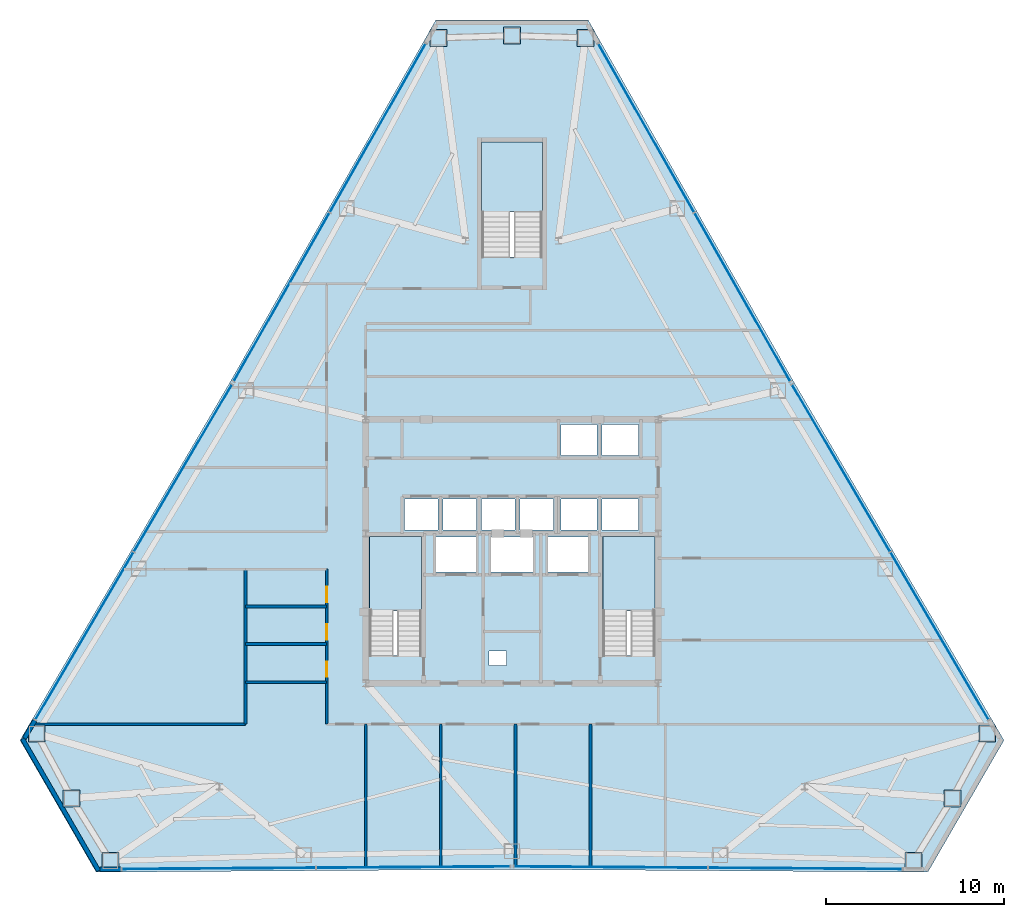
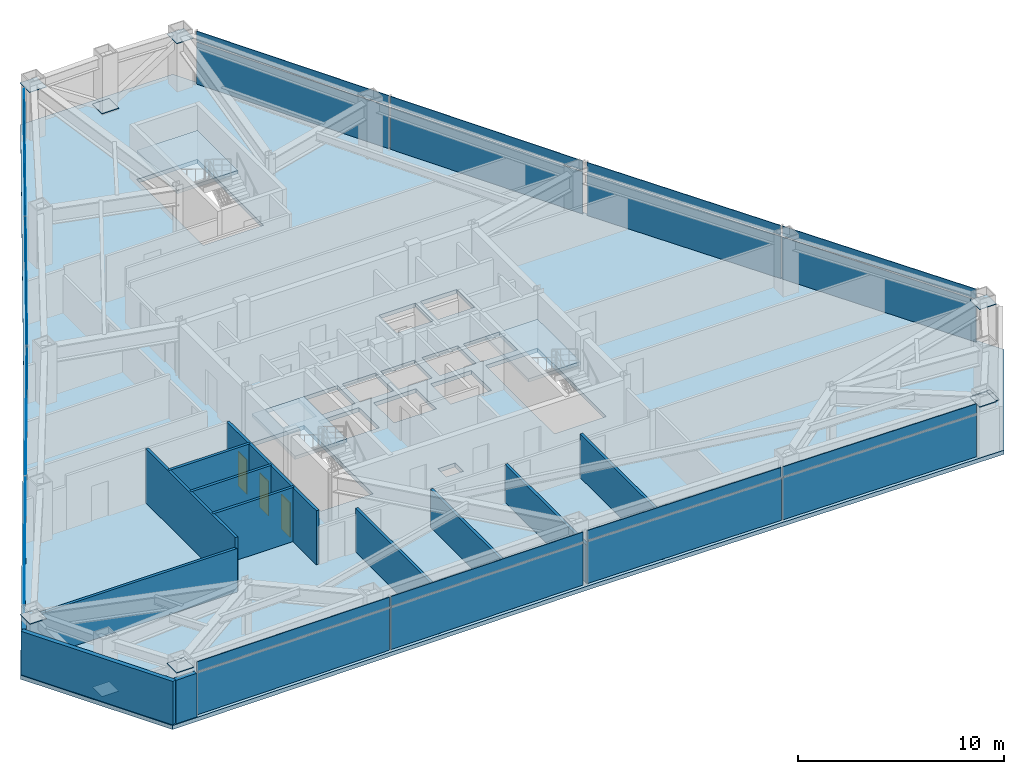
# One storey, part 8 of 12: 33 plates, 13 walls, 4 slabs, 3 doors, 3 openings, 9 elements without a shape of their own.
"""IFC4 building model written with IfcOpenShell, lengths in metres."""

from ifc_helpers import new_model, si_unit, direction, frame, frame_2d, origin, origin_2d, place, context, subcontext, project, spatial, polyline, rectangle, outline, extrude, source, transform, mapped, material, layer, layer_set, type_object, type_shapes, element, fill, aggregate, save


model = new_model("IFC4")

# Units and contexts
model_context = context("Model", 3, precision=1e-05, world=origin(), true_north=direction((0.0, 1.0)))
body_context = subcontext(model_context, "Body", "Model", "MODEL_VIEW")
ifc_project = project(units=[si_unit("LENGTHUNIT", "METRE"), si_unit("AREAUNIT", "SQUARE_METRE"), si_unit("VOLUMEUNIT", "CUBIC_METRE"), si_unit("PLANEANGLEUNIT", "RADIAN"), si_unit("MASSUNIT", "GRAM", prefix="KILO")], contexts=[model_context])

# Site, building, storey
site_placement = place(None, origin())
site = spatial("IfcSite", under=ifc_project, at=site_placement, CompositionType="ELEMENT")
building_placement = place(site_placement, origin())
building = spatial("IfcBuilding", under=site, at=building_placement, Name="Varakhsha Concourse Tower", CompositionType="ELEMENT")
storey_placement = place(building_placement, frame((0.0, 0.0, 129.800048828125)))
storey = spatial("IfcBuildingStorey", under=building, at=storey_placement, Name="L37", CompositionType="ELEMENT", Elevation=129.800048828125)

# Slab
ifc_material_1 = material(Name="Concrete fc 45 MPa", Category="concrete")
ifc_layer_1 = layer(ifc_material_1, 0.239990234375, Name="SL-FLR-240")
ifc_layer_set_1 = layer_set([ifc_layer_1], Name="Concrete fc 45 MPa")
slab_type_1 = type_object("IfcSlabType", Name="SL-FLR-240", PredefinedType="FLOOR", material=ifc_layer_set_1)
slab_1_placement = place(storey_placement, frame((0.0, 0.0, -0.239990234375)))
element("IfcSlab", 1, at=slab_1_placement, inside=storey, type_object=slab_type_1, Name="L37 Composite Structural Slab", PredefinedType="FLOOR", context=body_context, shape_type="SweptSolid", body=[
    extrude(outline(polyline([(44.271484375, 53.6015625), (35.728515625, 53.6015625), (24.2021484375, 33.32080078125), (12.401611328125, 13.198486328125), (16.673095703125, 5.800048828125), (40.0, 5.958251953125), (63.326904296875, 5.800048828125), (67.598388671875, 13.198486328125), (55.7978515625, 33.32080078125), (44.271484375, 53.6015625)]), holes=[polyline([(34.919921875, 17.93994140625), (34.919921875, 24.6298828125), (32.0, 24.6298828125), (32.0, 17.93994140625), (34.919921875, 17.93994140625)]), polyline([(48.02001953125, 17.93994140625), (48.02001953125, 24.6298828125), (45.10009765625, 24.6298828125), (45.10009765625, 17.93994140625), (48.02001953125, 17.93994140625)]), polyline([(41.699951171875, 40.300048828125), (41.699951171875, 46.75), (38.300048828125, 46.75), (38.300048828125, 40.300048828125), (41.699951171875, 40.300048828125)]), polyline([(33.9599609375, 25.0), (35.840087890625, 25.0), (35.840087890625, 26.739990234375), (33.9599609375, 26.739990234375), (33.9599609375, 25.0)]), polyline([(36.1201171875, 25.0), (38.0, 25.0), (38.0, 26.739990234375), (36.1201171875, 26.739990234375), (36.1201171875, 25.0)]), polyline([(38.280029296875, 25.0), (40.159912109375, 25.0), (40.159912109375, 26.739990234375), (38.280029296875, 26.739990234375), (38.280029296875, 25.0)]), polyline([(40.43994140625, 25.0), (42.320068359375, 25.0), (42.320068359375, 26.739990234375), (40.43994140625, 26.739990234375), (40.43994140625, 25.0)]), polyline([(42.739990234375, 29.159912109375), (44.780029296875, 29.159912109375), (44.780029296875, 30.89990234375), (42.739990234375, 30.89990234375), (42.739990234375, 29.159912109375)]), polyline([(45.06005859375, 29.159912109375), (47.10009765625, 29.159912109375), (47.10009765625, 30.89990234375), (45.06005859375, 30.89990234375), (45.06005859375, 29.159912109375)]), polyline([(42.739990234375, 25.0), (44.780029296875, 25.0), (44.780029296875, 26.739990234375), (42.739990234375, 26.739990234375), (42.739990234375, 25.0)]), polyline([(45.06005859375, 25.0), (47.10009765625, 25.0), (47.10009765625, 26.739990234375), (45.06005859375, 26.739990234375), (45.06005859375, 25.0)]), polyline([(35.7099609375, 22.639892578125), (37.989990234375, 22.639892578125), (37.989990234375, 24.60009765625), (35.7099609375, 24.60009765625), (35.7099609375, 22.639892578125)]), polyline([(42.010009765625, 22.639892578125), (44.2900390625, 22.639892578125), (44.2900390625, 24.60009765625), (42.010009765625, 24.60009765625), (42.010009765625, 22.639892578125)]), polyline([(38.81005859375, 22.639892578125), (41.18994140625, 22.639892578125), (41.18994140625, 24.60009765625), (38.81005859375, 24.60009765625), (38.81005859375, 22.639892578125)]), polyline([(38.719970703125, 17.39990234375), (39.679931640625, 17.39990234375), (39.679931640625, 18.199951171875), (38.719970703125, 18.199951171875), (38.719970703125, 17.39990234375)])]), origin(), (0.0, 0.0, 1.0), 0.239990234375),
])

# Stair, slab
stair_type_1 = type_object("IfcStairType", Name="ST-DOGLEG-1360", PredefinedType="HALF_TURN_STAIR", material=ifc_material_1)
stair_1_placement = place(storey_placement, origin())
stair_1 = element("IfcStair", 2, at=stair_1_placement, inside=storey, type_object=stair_type_1, Name="L37 Protected Exit Stair ST1", PredefinedType="HALF_TURN_STAIR")
ifc_layer_2 = layer(ifc_material_1, 0.199951171875, Name="SL-LAND-200")
ifc_layer_set_2 = layer_set([ifc_layer_2], Name="Concrete fc 45 MPa")
slab_type_2 = type_object("IfcSlabType", Name="SL-LAND-200", PredefinedType="LANDING", material=ifc_layer_set_2)
slab_2_placement = place(storey_placement, frame((0.0, 0.0, 1.52490234375)))
slab_2 = element("IfcSlab", 3, at=slab_2_placement, type_object=slab_type_2, Name="ST1 landing 1", PredefinedType="LANDING", context=body_context, shape_type="SweptSolid", body=[
    extrude(outline(polyline([(34.919921875, 20.4599609375), (34.919921875, 24.6298828125), (32.0, 24.6298828125), (32.0, 20.4599609375), (34.919921875, 20.4599609375)])), origin(), (0.0, 0.0, 1.0), 0.199951171875),
])
aggregate(stair_1, [slab_2])

stair_2_placement = place(storey_placement, origin())
stair_2 = element("IfcStair", 4, at=stair_2_placement, inside=storey, type_object=stair_type_1, Name="L37 Protected Exit Stair ST2", PredefinedType="HALF_TURN_STAIR")
slab_3_placement = place(storey_placement, frame((0.0, 0.0, 1.52490234375)))
slab_3 = element("IfcSlab", 5, at=slab_3_placement, type_object=slab_type_2, Name="ST2 landing 1", PredefinedType="LANDING", context=body_context, shape_type="SweptSolid", body=[
    extrude(outline(polyline([(48.02001953125, 20.4599609375), (48.02001953125, 24.6298828125), (45.10009765625, 24.6298828125), (45.10009765625, 20.4599609375), (48.02001953125, 20.4599609375)])), origin(), (0.0, 0.0, 1.0), 0.199951171875),
])
aggregate(stair_2, [slab_3])

stair_type_2 = type_object("IfcStairType", Name="ST-DOGLEG-1600", PredefinedType="HALF_TURN_STAIR", material=ifc_material_1)
stair_3_placement = place(storey_placement, origin())
stair_3 = element("IfcStair", 6, at=stair_3_placement, inside=storey, type_object=stair_type_2, Name="L37 Protected Exit Stair ST5", PredefinedType="HALF_TURN_STAIR")
slab_4_placement = place(storey_placement, frame((0.0, 0.0, 1.52490234375)))
slab_4 = element("IfcSlab", 7, at=slab_4_placement, type_object=slab_type_2, Name="ST5 landing 1", PredefinedType="LANDING", context=body_context, shape_type="SweptSolid", body=[
    extrude(outline(polyline([(41.699951171875, 42.820068359375), (41.699951171875, 46.75), (38.300048828125, 46.75), (38.300048828125, 42.820068359375), (41.699951171875, 42.820068359375)])), origin(), (0.0, 0.0, 1.0), 0.199951171875),
])
aggregate(stair_3, [slab_4])

# Plates
ifc_material_2 = material(Name="Structural Steel ASTM A572 Grade 50", Category="steel")
ifc_layer_3 = layer(ifc_material_2, 0.030029296875, Name="PL-ENDCAP-950")
ifc_layer_set_3 = layer_set([ifc_layer_3], Name="Structural Steel ASTM A572 Grade 50")
plate_type_1 = type_object("IfcPlateType", Name="PL-ENDCAP-950", PredefinedType="USERDEFINED", material=ifc_layer_set_3)
shared_shape_1 = source(origin(), body_context, "Body", "SweptSolid", [
    extrude(rectangle(XDim=0.949951171875, YDim=0.949951171875, at=origin_2d()), origin(), (0.0, 0.0, 1.0), 0.030029296875),
])
type_shapes(plate_type_1, [shared_shape_1])
for number, where, z_axis, x_axis, name in (
    (8, (40.0, 52.7216796875, 0.10498046875), (0.0, 0.0, 1.0), (1.0, 0.0, 0.0), "Hollow Section End Cap GP-NODE-L37-0355"),
    (9, (44.1259765625, 52.60009765625, 2.89501953125), (0.0, 0.0, 1.0), (1.0, 0.0, 0.0), "Hollow Section End Cap GP-NODE-L37-0356"),
    (10, (35.8740234375, 52.60009765625, 2.89501953125), (0.0, 0.0, 1.0), (1.0, 0.0, 0.0), "Hollow Section End Cap GP-NODE-L37-0357"),
    (11, (15.299560546875, 9.939208984375, 0.10498046875), (0.0, 0.0, 1.0), (1.0, 0.0, 0.0), "Hollow Section End Cap GP-NODE-L37-0358"),
    (12, (13.341796875, 13.572998046875, 2.89501953125), (0.0, 0.0, 1.0), (1.0, 0.0, 0.0), "Hollow Section End Cap GP-NODE-L37-0359"),
    (13, (17.4677734375, 6.4267578125, 2.89501953125), (0.0, 0.0, 1.0), (1.0, 0.0, 0.0), "Hollow Section End Cap GP-NODE-L37-0360"),
    (14, (64.700439453125, 9.939208984375, 0.10498046875), (0.0, 0.0, 1.0), (1.0, 0.0, 0.0), "Hollow Section End Cap GP-NODE-L37-0361"),
    (15, (62.5322265625, 6.4267578125, 2.89501953125), (0.0, 0.0, 1.0), (1.0, 0.0, 0.0), "Hollow Section End Cap GP-NODE-L37-0362"),
    (16, (66.658203125, 13.572998046875, 2.89501953125), (0.0, 0.0, 1.0), (1.0, 0.0, 0.0), "Hollow Section End Cap GP-NODE-L37-0363"),
):
    element("IfcPlate", number, at=place(storey_placement, frame(where, z_axis=z_axis, x_axis=x_axis)), inside=storey, type_object=plate_type_1, Name=name, ObjectType="END PLATE", PredefinedType="USERDEFINED", context=body_context, shape_type="MappedRepresentation", body=[
        mapped(shared_shape_1, transform((0.0, 0.0, 0.0), scale=1.0)),
    ])

# Curtain wall, plates
ifc_material_3 = material(Name="Anodised Bronze Architectural Aluminium AA 6063-T6", Category="aluminium")
ifc_layer_4 = layer(ifc_material_3, 0.2099609375, Name="CW-SYS-04")
ifc_layer_set_4 = layer_set([ifc_layer_4], Name="Anodised Bronze Architectural Aluminium AA 6063-T6")
curtain_wall_type = type_object("IfcCurtainWallType", Name="CW-SYS-04", PredefinedType="NOTDEFINED", material=ifc_layer_set_4)
curtain_wall_1_placement = place(storey_placement, origin())
curtain_wall_1 = element("IfcCurtainWall", 17, at=curtain_wall_1_placement, inside=storey, type_object=curtain_wall_type, Name="L37 Crystal Curtain Wall F2", PredefinedType="NOTDEFINED")
ifc_material_4 = material(Name="Low-E Triple Insulating Glass IGU 44 mm", Category="glass")
ifc_layer_5 = layer(ifc_material_4, 0.0439453125, Name="CWP-IGU-44")
ifc_layer_set_5 = layer_set([ifc_layer_5], Name="Low-E Triple Insulating Glass IGU 44 mm")
plate_type_2 = type_object("IfcPlateType", Name="CWP-IGU-44", PredefinedType="CURTAIN_PANEL", material=ifc_layer_set_5)
shared_shape_2 = source(origin(), body_context, "Body", "SweptSolid", [
    extrude(rectangle(XDim=10.834716796875, YDim=0.0439453125, at=origin_2d()), origin(), (0.0, 0.0, 1.0), 2.490966796875),
])
type_shapes(plate_type_2, [shared_shape_2])
plate_1_placement = place(storey_placement, frame((27.0771484375, 38.0556640625, 0.03466796875), z_axis=(0.0, 0.0, 1.0), x_axis=(0.494114858069, 0.8693966339, 0.0)))
plate_1 = element("IfcPlate", 18, at=plate_1_placement, type_object=plate_type_2, Name="CW-L37-F2 Panel 00-00", PredefinedType="CURTAIN_PANEL", context=body_context, shape_type="MappedRepresentation", body=[
    mapped(shared_shape_2, transform((0.0, 0.0, 0.0), scale=1.0)),
])
plate_2_placement = place(storey_placement, frame((32.4697265625, 47.5439453125, 0.03466796875), z_axis=(0.0, 0.0, 1.0), x_axis=(0.494114858069, 0.8693966339, 0.0)))
plate_2 = element("IfcPlate", 19, at=plate_2_placement, type_object=plate_type_2, Name="CW-L37-F2 Panel 01-00", PredefinedType="CURTAIN_PANEL", context=body_context, shape_type="MappedRepresentation", body=[
    mapped(shared_shape_2, transform((0.0, 0.0, 0.0), scale=1.0)),
])

curtain_wall_2_placement = place(storey_placement, origin())
curtain_wall_2 = element("IfcCurtainWall", 20, at=curtain_wall_2_placement, inside=storey, type_object=curtain_wall_type, Name="L37 Crystal Curtain Wall F3", PredefinedType="NOTDEFINED")
plate_3_placement = place(storey_placement, frame((16.018310546875, 19.049560546875, 0.03466796875), z_axis=(0.0, 0.0, 1.0), x_axis=(0.505862141887, 0.862614336424, 0.0)))
plate_3 = element("IfcPlate", 21, at=plate_3_placement, type_object=plate_type_2, Name="CW-L37-F3 Panel 00-00", PredefinedType="CURTAIN_PANEL", context=body_context, shape_type="MappedRepresentation", body=[
    mapped(shared_shape_2, transform((0.0, 0.0, 0.0), scale=1.0)),
])
plate_4_placement = place(storey_placement, frame((21.539306640625, 28.4638671875, 0.03466796875), z_axis=(0.0, 0.0, 1.0), x_axis=(0.505862141887, 0.862614336424, 0.0)))
plate_4 = element("IfcPlate", 22, at=plate_4_placement, type_object=plate_type_2, Name="CW-L37-F3 Panel 01-00", PredefinedType="CURTAIN_PANEL", context=body_context, shape_type="MappedRepresentation", body=[
    mapped(shared_shape_2, transform((0.0, 0.0, 0.0), scale=1.0)),
])

curtain_wall_3_placement = place(storey_placement, origin())
curtain_wall_3 = element("IfcCurtainWall", 23, at=curtain_wall_3_placement, inside=storey, type_object=curtain_wall_type, Name="L37 Crystal Curtain Wall F5", PredefinedType="NOTDEFINED")
plate_5_placement = place(storey_placement, frame((34.462158203125, 6.080810546875, 0.03466796875), z_axis=(0.0, 0.0, 1.0), x_axis=(-0.999976976275, -0.006785788053, 0.0)))
plate_5 = element("IfcPlate", 24, at=plate_5_placement, type_object=plate_type_2, Name="CW-L37-F5 Panel 00-00", PredefinedType="CURTAIN_PANEL", context=body_context, shape_type="MappedRepresentation", body=[
    mapped(shared_shape_2, transform((0.0, 0.0, 0.0), scale=1.0)),
])
plate_6_placement = place(storey_placement, frame((23.548828125, 6.006591796875, 0.03466796875), z_axis=(0.0, 0.0, 1.0), x_axis=(-0.999976976275, -0.006785788053, 0.0)))
plate_6 = element("IfcPlate", 25, at=plate_6_placement, type_object=plate_type_2, Name="CW-L37-F5 Panel 01-00", PredefinedType="CURTAIN_PANEL", context=body_context, shape_type="MappedRepresentation", body=[
    mapped(shared_shape_2, transform((0.0, 0.0, 0.0), scale=1.0)),
])

curtain_wall_4_placement = place(storey_placement, origin())
curtain_wall_4 = element("IfcCurtainWall", 26, at=curtain_wall_4_placement, inside=storey, type_object=curtain_wall_type, Name="L37 Crystal Curtain Wall F6", PredefinedType="NOTDEFINED")
plate_7_placement = place(storey_placement, frame((56.451171875, 6.006591796875, 0.03466796875), z_axis=(0.0, 0.0, 1.0), x_axis=(-0.999976976275, 0.006785788053, 0.0)))
plate_7 = element("IfcPlate", 27, at=plate_7_placement, type_object=plate_type_2, Name="CW-L37-F6 Panel 00-00", PredefinedType="CURTAIN_PANEL", context=body_context, shape_type="MappedRepresentation", body=[
    mapped(shared_shape_2, transform((0.0, 0.0, 0.0), scale=1.0)),
])
plate_8_placement = place(storey_placement, frame((45.537841796875, 6.080810546875, 0.03466796875), z_axis=(0.0, 0.0, 1.0), x_axis=(-0.999976976275, 0.006785788053, 0.0)))
plate_8 = element("IfcPlate", 28, at=plate_8_placement, type_object=plate_type_2, Name="CW-L37-F6 Panel 01-00", PredefinedType="CURTAIN_PANEL", context=body_context, shape_type="MappedRepresentation", body=[
    mapped(shared_shape_2, transform((0.0, 0.0, 0.0), scale=1.0)),
])

curtain_wall_5_placement = place(storey_placement, origin())
curtain_wall_5 = element("IfcCurtainWall", 29, at=curtain_wall_5_placement, inside=storey, type_object=curtain_wall_type, Name="L37 Crystal Curtain Wall F8", PredefinedType="NOTDEFINED")
plate_9_placement = place(storey_placement, frame((58.460693359375, 28.4638671875, 0.03466796875), z_axis=(0.0, 0.0, 1.0), x_axis=(0.505862141887, -0.862614336424, 0.0)))
plate_9 = element("IfcPlate", 30, at=plate_9_placement, type_object=plate_type_2, Name="CW-L37-F8 Panel 00-00", PredefinedType="CURTAIN_PANEL", context=body_context, shape_type="MappedRepresentation", body=[
    mapped(shared_shape_2, transform((0.0, 0.0, 0.0), scale=1.0)),
])
plate_10_placement = place(storey_placement, frame((63.981689453125, 19.049560546875, 0.03466796875), z_axis=(0.0, 0.0, 1.0), x_axis=(0.505862141887, -0.862614336424, 0.0)))
plate_10 = element("IfcPlate", 31, at=plate_10_placement, type_object=plate_type_2, Name="CW-L37-F8 Panel 01-00", PredefinedType="CURTAIN_PANEL", context=body_context, shape_type="MappedRepresentation", body=[
    mapped(shared_shape_2, transform((0.0, 0.0, 0.0), scale=1.0)),
])

curtain_wall_6_placement = place(storey_placement, origin())
curtain_wall_6 = element("IfcCurtainWall", 32, at=curtain_wall_6_placement, inside=storey, type_object=curtain_wall_type, Name="L37 Crystal Curtain Wall F9", PredefinedType="NOTDEFINED")
plate_11_placement = place(storey_placement, frame((47.5302734375, 47.543701171875, 0.03466796875), z_axis=(0.0, 0.0, 1.0), x_axis=(0.494114858069, -0.8693966339, 0.0)))
plate_11 = element("IfcPlate", 33, at=plate_11_placement, type_object=plate_type_2, Name="CW-L37-F9 Panel 00-00", PredefinedType="CURTAIN_PANEL", context=body_context, shape_type="MappedRepresentation", body=[
    mapped(shared_shape_2, transform((0.0, 0.0, 0.0), scale=1.0)),
])
plate_12_placement = place(storey_placement, frame((52.9228515625, 38.055419921875, 0.03466796875), z_axis=(0.0, 0.0, 1.0), x_axis=(0.494114858069, -0.8693966339, 0.0)))
plate_12 = element("IfcPlate", 34, at=plate_12_placement, type_object=plate_type_2, Name="CW-L37-F9 Panel 01-00", PredefinedType="CURTAIN_PANEL", context=body_context, shape_type="MappedRepresentation", body=[
    mapped(shared_shape_2, transform((0.0, 0.0, 0.0), scale=1.0)),
])

# Plate
ifc_material_5 = material(Name="Glazed Turquoise-Bronze Ceramic Spandrel Panel 38 mm", Category="ceramic")
ifc_layer_6 = layer(ifc_material_5, 0.0380859375, Name="CWP-SPN-38")
ifc_layer_set_6 = layer_set([ifc_layer_6], Name="Glazed Turquoise-Bronze Ceramic Spandrel Panel 38 mm")
plate_type_3 = type_object("IfcPlateType", Name="CWP-SPN-38", PredefinedType="USERDEFINED", material=ifc_layer_set_6)
shared_shape_3 = source(origin(), body_context, "Body", "SweptSolid", [
    extrude(rectangle(XDim=10.834716796875, YDim=0.0380859375, at=origin_2d()), origin(), (0.0, 0.0, 1.0), 0.5810546875),
])
type_shapes(plate_type_3, [shared_shape_3])
plate_13_placement = place(storey_placement, frame((27.0771484375, 38.0556640625, 2.594482421875), z_axis=(0.0, 0.0, 1.0), x_axis=(0.494114858069, 0.8693966339, 0.0)))
plate_13 = element("IfcPlate", 35, at=plate_13_placement, type_object=plate_type_3, Name="CW-L37-F2 Panel 00-01", ObjectType="SPANDREL", PredefinedType="USERDEFINED", context=body_context, shape_type="MappedRepresentation", body=[
    mapped(shared_shape_3, transform((0.0, 0.0, 0.0), scale=1.0)),
])

plate_14_placement = place(storey_placement, frame((32.4697265625, 47.5439453125, 2.594482421875), z_axis=(0.0, 0.0, 1.0), x_axis=(0.494114858069, 0.8693966339, 0.0)))
plate_14 = element("IfcPlate", 36, at=plate_14_placement, type_object=plate_type_3, Name="CW-L37-F2 Panel 01-01", ObjectType="SPANDREL", PredefinedType="USERDEFINED", context=body_context, shape_type="MappedRepresentation", body=[
    mapped(shared_shape_3, transform((0.0, 0.0, 0.0), scale=1.0)),
])

aggregate(curtain_wall_1, [plate_1, plate_13, plate_2, plate_14])

plate_15_placement = place(storey_placement, frame((16.018310546875, 19.049560546875, 2.594482421875), z_axis=(0.0, 0.0, 1.0), x_axis=(0.505862141887, 0.862614336424, 0.0)))
plate_15 = element("IfcPlate", 37, at=plate_15_placement, type_object=plate_type_3, Name="CW-L37-F3 Panel 00-01", ObjectType="SPANDREL", PredefinedType="USERDEFINED", context=body_context, shape_type="MappedRepresentation", body=[
    mapped(shared_shape_3, transform((0.0, 0.0, 0.0), scale=1.0)),
])

plate_16_placement = place(storey_placement, frame((21.539306640625, 28.4638671875, 2.594482421875), z_axis=(0.0, 0.0, 1.0), x_axis=(0.505862141887, 0.862614336424, 0.0)))
plate_16 = element("IfcPlate", 38, at=plate_16_placement, type_object=plate_type_3, Name="CW-L37-F3 Panel 01-01", ObjectType="SPANDREL", PredefinedType="USERDEFINED", context=body_context, shape_type="MappedRepresentation", body=[
    mapped(shared_shape_3, transform((0.0, 0.0, 0.0), scale=1.0)),
])

aggregate(curtain_wall_2, [plate_3, plate_15, plate_4, plate_16])

plate_17_placement = place(storey_placement, frame((34.462158203125, 6.080810546875, 2.594482421875), z_axis=(0.0, 0.0, 1.0), x_axis=(-0.999976976275, -0.006785788053, 0.0)))
plate_17 = element("IfcPlate", 39, at=plate_17_placement, type_object=plate_type_3, Name="CW-L37-F5 Panel 00-01", ObjectType="SPANDREL", PredefinedType="USERDEFINED", context=body_context, shape_type="MappedRepresentation", body=[
    mapped(shared_shape_3, transform((0.0, 0.0, 0.0), scale=1.0)),
])

plate_18_placement = place(storey_placement, frame((23.548828125, 6.006591796875, 2.594482421875), z_axis=(0.0, 0.0, 1.0), x_axis=(-0.999976976275, -0.006785788053, 0.0)))
plate_18 = element("IfcPlate", 40, at=plate_18_placement, type_object=plate_type_3, Name="CW-L37-F5 Panel 01-01", ObjectType="SPANDREL", PredefinedType="USERDEFINED", context=body_context, shape_type="MappedRepresentation", body=[
    mapped(shared_shape_3, transform((0.0, 0.0, 0.0), scale=1.0)),
])

aggregate(curtain_wall_3, [plate_5, plate_17, plate_6, plate_18])

plate_19_placement = place(storey_placement, frame((56.451171875, 6.006591796875, 2.594482421875), z_axis=(0.0, 0.0, 1.0), x_axis=(-0.999976976275, 0.006785788053, 0.0)))
plate_19 = element("IfcPlate", 41, at=plate_19_placement, type_object=plate_type_3, Name="CW-L37-F6 Panel 00-01", ObjectType="SPANDREL", PredefinedType="USERDEFINED", context=body_context, shape_type="MappedRepresentation", body=[
    mapped(shared_shape_3, transform((0.0, 0.0, 0.0), scale=1.0)),
])

plate_20_placement = place(storey_placement, frame((45.537841796875, 6.080810546875, 2.594482421875), z_axis=(0.0, 0.0, 1.0), x_axis=(-0.999976976275, 0.006785788053, 0.0)))
plate_20 = element("IfcPlate", 42, at=plate_20_placement, type_object=plate_type_3, Name="CW-L37-F6 Panel 01-01", ObjectType="SPANDREL", PredefinedType="USERDEFINED", context=body_context, shape_type="MappedRepresentation", body=[
    mapped(shared_shape_3, transform((0.0, 0.0, 0.0), scale=1.0)),
])

aggregate(curtain_wall_4, [plate_7, plate_19, plate_8, plate_20])

plate_21_placement = place(storey_placement, frame((58.460693359375, 28.4638671875, 2.594482421875), z_axis=(0.0, 0.0, 1.0), x_axis=(0.505862141887, -0.862614336424, 0.0)))
plate_21 = element("IfcPlate", 43, at=plate_21_placement, type_object=plate_type_3, Name="CW-L37-F8 Panel 00-01", ObjectType="SPANDREL", PredefinedType="USERDEFINED", context=body_context, shape_type="MappedRepresentation", body=[
    mapped(shared_shape_3, transform((0.0, 0.0, 0.0), scale=1.0)),
])

plate_22_placement = place(storey_placement, frame((63.981689453125, 19.049560546875, 2.594482421875), z_axis=(0.0, 0.0, 1.0), x_axis=(0.505862141887, -0.862614336424, 0.0)))
plate_22 = element("IfcPlate", 44, at=plate_22_placement, type_object=plate_type_3, Name="CW-L37-F8 Panel 01-01", ObjectType="SPANDREL", PredefinedType="USERDEFINED", context=body_context, shape_type="MappedRepresentation", body=[
    mapped(shared_shape_3, transform((0.0, 0.0, 0.0), scale=1.0)),
])

aggregate(curtain_wall_5, [plate_9, plate_21, plate_10, plate_22])

plate_23_placement = place(storey_placement, frame((47.5302734375, 47.543701171875, 2.594482421875), z_axis=(0.0, 0.0, 1.0), x_axis=(0.494114858069, -0.8693966339, 0.0)))
plate_23 = element("IfcPlate", 45, at=plate_23_placement, type_object=plate_type_3, Name="CW-L37-F9 Panel 00-01", ObjectType="SPANDREL", PredefinedType="USERDEFINED", context=body_context, shape_type="MappedRepresentation", body=[
    mapped(shared_shape_3, transform((0.0, 0.0, 0.0), scale=1.0)),
])

plate_24_placement = place(storey_placement, frame((52.9228515625, 38.055419921875, 2.594482421875), z_axis=(0.0, 0.0, 1.0), x_axis=(0.494114858069, -0.8693966339, 0.0)))
plate_24 = element("IfcPlate", 46, at=plate_24_placement, type_object=plate_type_3, Name="CW-L37-F9 Panel 01-01", ObjectType="SPANDREL", PredefinedType="USERDEFINED", context=body_context, shape_type="MappedRepresentation", body=[
    mapped(shared_shape_3, transform((0.0, 0.0, 0.0), scale=1.0)),
])

aggregate(curtain_wall_6, [plate_11, plate_23, plate_12, plate_24])

# Walls
ifc_layer_7 = layer(ifc_material_1, 0.239990234375, Name="WL-EXT-CRN-240")
ifc_layer_set_7 = layer_set([ifc_layer_7], Name="Concrete fc 45 MPa")
wall_type_1 = type_object("IfcWallType", Name="WL-EXT-CRN-240", PredefinedType="SHEAR", material=ifc_layer_set_7)
wall_1_placement = place(storey_placement, frame((13.239013671875, 14.31005859375, 0.0), z_axis=(0.0, 0.0, 1.0), x_axis=(-0.505854218529, -0.862618982863, 0.0)))
element("IfcWall", 47, at=wall_1_placement, inside=storey, type_object=wall_type_1, Name="L37 Wind-Corner Shoulder Wall F3", PredefinedType="SHEAR", context=body_context, shape_type="SweptSolid", body=[
    extrude(rectangle(XDim=1.16259765625, YDim=0.239990234375, at=frame_2d((0.581298828125, 0.0))), origin(), (0.0, 0.0, 1.0), 2.5830078125),
])
wall_2_placement = place(storey_placement, frame((16.811767578125, 5.8798828125, 0.0), z_axis=(0.0, 0.0, 1.0), x_axis=(-0.499999516514, 0.866025682925, 0.0)))
element("IfcWall", 48, at=wall_2_placement, inside=storey, type_object=wall_type_1, Name="L37 Chamfer Wind-Corner Insulated Wall F4", PredefinedType="SHEAR", context=body_context, shape_type="SweptSolid", body=[
    extrude(rectangle(XDim=8.54296875, YDim=0.239990234375, at=frame_2d((4.271484375, 0.0))), origin(), (0.0, 0.0, 1.0), 2.5830078125),
])
wall_3_placement = place(storey_placement, frame((16.89208984375, 5.96142578125, 0.0), z_axis=(0.0, 0.0, 1.0), x_axis=(0.999977422468, 0.006719713885, 0.0)))
element("IfcWall", 49, at=wall_3_placement, inside=storey, type_object=wall_type_1, Name="L37 Wind-Corner Shoulder Wall F5", PredefinedType="SHEAR", context=body_context, shape_type="SweptSolid", body=[
    extrude(rectangle(XDim=1.16259765625, YDim=0.239990234375, at=frame_2d((0.581298828125, 0.0))), origin(), (0.0, 0.0, 1.0), 2.5830078125),
])

# Wall, openings, doors
ifc_material_6 = material(Name="Fire-Rated Type X Gypsum Partition Assembly", Category="gypsum")
ifc_layer_8 = layer(ifc_material_6, 0.14990234375, Name="WL-PART-150")
ifc_layer_set_8 = layer_set([ifc_layer_8], Name="Fire-Rated Type X Gypsum Partition Assembly")
wall_type_2 = type_object("IfcWallType", Name="WL-PART-150", PredefinedType="PARTITIONING", material=ifc_layer_set_8)
wall_4_placement = place(storey_placement, frame((29.60009765625, 14.10009765625, 0.0), z_axis=(0.0, 0.0, 1.0), x_axis=(0.0, 1.0, 0.0)))
wall_4 = element("IfcWall", 50, at=wall_4_placement, inside=storey, type_object=wall_type_2, Name="L37 Wall CRW-WS-L37", PredefinedType="PARTITIONING", context=body_context, shape_type="SweptSolid", body=[
    extrude(rectangle(XDim=8.699951171875, YDim=0.14990234375, at=frame_2d((4.35009765625, 0.0))), origin(), (0.0, 0.0, 1.0), 3.2099609375),
])
opening_1_placement = place(wall_4_placement, frame((2.64990234375, 0.0, 0.0)))
opening_1 = element("IfcOpeningElement", 51, at=opening_1_placement, cuts=wall_4, Name="Opening DF-07", PredefinedType="OPENING", context=body_context, shape_type="SweptSolid", body=[
    extrude(rectangle(XDim=0.85009765625, YDim=2.050048828125, at=frame_2d((0.425048828125, 1.02490234375))), frame((0.0, 0.0849609375, 0.0), z_axis=(0.0, -1.0, 0.0), x_axis=(1.0, 0.0, 0.0)), (0.0, 0.0, 1.0), 0.169921875),
])
opening_2_placement = place(wall_4_placement, frame((4.75, 0.0, 0.0)))
opening_2 = element("IfcOpeningElement", 52, at=opening_2_placement, cuts=wall_4, Name="Opening DF-07", PredefinedType="OPENING", context=body_context, shape_type="SweptSolid", body=[
    extrude(rectangle(XDim=0.85009765625, YDim=2.050048828125, at=frame_2d((0.425048828125, 1.02490234375))), frame((0.0, 0.0849609375, 0.0), z_axis=(0.0, -1.0, 0.0), x_axis=(1.0, 0.0, 0.0)), (0.0, 0.0, 1.0), 0.169921875),
])
opening_3_placement = place(wall_4_placement, frame((6.85009765625, 0.0, 0.0)))
opening_3 = element("IfcOpeningElement", 53, at=opening_3_placement, cuts=wall_4, Name="Opening DF-07", PredefinedType="OPENING", context=body_context, shape_type="SweptSolid", body=[
    extrude(rectangle(XDim=0.85009765625, YDim=2.050048828125, at=frame_2d((0.425048828125, 1.02490234375))), frame((0.0, 0.0849609375, 0.0), z_axis=(0.0, -1.0, 0.0), x_axis=(1.0, 0.0, 0.0)), (0.0, 0.0, 1.0), 0.169921875),
])
ifc_material_7 = material(Name="Hollow Galvanised Steel Fire Door Assembly", Category="steel")
door_type = type_object("IfcDoorType", Name="DR-FD60-850", OperationType="NOTDEFINED", PredefinedType="DOOR", material=ifc_material_7)
door_1_placement = place(opening_1_placement, origin())
door_1 = element("IfcDoor", 54, at=door_1_placement, inside=storey, type_object=door_type, Name="L37 Men Restroom WC Door", OperationType="SINGLE_SWING_LEFT", OverallHeight=2.050048828125, OverallWidth=0.85009765625, PredefinedType="DOOR", context=body_context, shape_type="SweptSolid", body=[
    extrude(rectangle(XDim=0.85009765625, YDim=2.050048828125, at=frame_2d((0.425048828125, 1.02490234375))), frame((0.0, 0.02490234375, 0.0), z_axis=(0.0, -1.0, 0.0), x_axis=(1.0, 0.0, 0.0)), (0.0, 0.0, 1.0), 0.050048828125),
])
fill(opening_1, door_1)
door_2_placement = place(opening_2_placement, origin())
door_2 = element("IfcDoor", 55, at=door_2_placement, inside=storey, type_object=door_type, Name="L37 Women Restroom WC Door", OperationType="SINGLE_SWING_LEFT", OverallHeight=2.050048828125, OverallWidth=0.85009765625, PredefinedType="DOOR", context=body_context, shape_type="SweptSolid", body=[
    extrude(rectangle(XDim=0.85009765625, YDim=2.050048828125, at=frame_2d((0.425048828125, 1.02490234375))), frame((0.0, 0.02490234375, 0.0), z_axis=(0.0, -1.0, 0.0), x_axis=(1.0, 0.0, 0.0)), (0.0, 0.0, 1.0), 0.050048828125),
])
fill(opening_2, door_2)
door_3_placement = place(opening_3_placement, origin())
door_3 = element("IfcDoor", 56, at=door_3_placement, inside=storey, type_object=door_type, Name="L37 Accessible WC Door", OperationType="SINGLE_SWING_LEFT", OverallHeight=2.050048828125, OverallWidth=0.85009765625, PredefinedType="DOOR", context=body_context, shape_type="SweptSolid", body=[
    extrude(rectangle(XDim=0.85009765625, YDim=2.050048828125, at=frame_2d((0.425048828125, 1.02490234375))), frame((0.0, 0.02490234375, 0.0), z_axis=(0.0, -1.0, 0.0), x_axis=(1.0, 0.0, 0.0)), (0.0, 0.0, 1.0), 0.050048828125),
])
fill(opening_3, door_3)

# Walls
wall_5_placement = place(storey_placement, frame((25.050048828125, 14.10009765625, 0.0), z_axis=(0.0, 0.0, 1.0), x_axis=(0.0, 1.0, 0.0)))
element("IfcWall", 57, at=wall_5_placement, inside=storey, type_object=wall_type_2, Name="L37 Wall C2WC-W-L37", PredefinedType="PARTITIONING", context=body_context, shape_type="SweptSolid", body=[
    extrude(rectangle(XDim=8.699951171875, YDim=0.14990234375, at=frame_2d((4.35009765625, 0.0))), origin(), (0.0, 0.0, 1.0), 3.2099609375),
])
for number, where, z_axis, x_axis, name in (
    (58, (25.050048828125, 16.449951171875, 0.0), (0.0, 0.0, 1.0), (1.0, 0.0, 0.0), "L37 Wall C2WC-S-L37"),
    (59, (25.050048828125, 18.60009765625, 0.0), (0.0, 0.0, 1.0), (1.0, 0.0, 0.0), "L37 Wall C2WC-D1-L37"),
    (60, (25.050048828125, 20.699951171875, 0.0), (0.0, 0.0, 1.0), (1.0, 0.0, 0.0), "L37 Wall C2WC-D2-L37"),
):
    element("IfcWall", number, at=place(storey_placement, frame(where, z_axis=z_axis, x_axis=x_axis)), inside=storey, type_object=wall_type_2, Name=name, PredefinedType="PARTITIONING", context=body_context, shape_type="SweptSolid", body=[
        extrude(rectangle(XDim=4.550048828125, YDim=0.14990234375, at=frame_2d((2.27490234375, 0.0))), origin(), (0.0, 0.0, 1.0), 3.2099609375),
    ])
wall_6_placement = place(storey_placement, frame((31.800048828125, 6.067626953125, 0.0), z_axis=(0.0, 0.0, 1.0), x_axis=(0.0, 1.0, 0.0)))
element("IfcWall", 61, at=wall_6_placement, inside=storey, type_object=wall_type_2, Name="L37 Wall ODIV-S1-L37", PredefinedType="PARTITIONING", context=body_context, shape_type="SweptSolid", body=[
    extrude(rectangle(XDim=8.032470703125, YDim=0.14990234375, at=frame_2d((4.01611328125, 0.0))), origin(), (0.0, 0.0, 1.0), 2.5888671875),
])
wall_7_placement = place(storey_placement, frame((36.0, 6.09619140625, 0.0), z_axis=(0.0, 0.0, 1.0), x_axis=(0.0, 1.0, 0.0)))
element("IfcWall", 62, at=wall_7_placement, inside=storey, type_object=wall_type_2, Name="L37 Wall ODIV-S2-L37", PredefinedType="PARTITIONING", context=body_context, shape_type="SweptSolid", body=[
    extrude(rectangle(XDim=8.00390625, YDim=0.14990234375, at=frame_2d((4.001953125, 0.0))), origin(), (0.0, 0.0, 1.0), 2.251953125),
])
wall_8_placement = place(storey_placement, frame((40.199951171875, 6.121826171875, 0.0), z_axis=(0.0, 0.0, 1.0), x_axis=(0.0, 1.0, 0.0)))
element("IfcWall", 63, at=wall_8_placement, inside=storey, type_object=wall_type_2, Name="L37 Wall ODIV-S3-L37", PredefinedType="PARTITIONING", context=body_context, shape_type="SweptSolid", body=[
    extrude(rectangle(XDim=7.978271484375, YDim=0.14990234375, at=frame_2d((3.9892578125, 0.0))), origin(), (0.0, 0.0, 1.0), 2.251953125),
])
wall_9_placement = place(storey_placement, frame((44.39990234375, 6.093505859375, 0.0), z_axis=(0.0, 0.0, 1.0), x_axis=(0.0, 1.0, 0.0)))
element("IfcWall", 64, at=wall_9_placement, inside=storey, type_object=wall_type_2, Name="L37 Wall ODIV-S4-L37", PredefinedType="PARTITIONING", context=body_context, shape_type="SweptSolid", body=[
    extrude(rectangle(XDim=8.006591796875, YDim=0.14990234375, at=frame_2d((4.00341796875, 0.0))), origin(), (0.0, 0.0, 1.0), 2.5888671875),
])
wall_10_placement = place(storey_placement, frame((13.12158203125, 14.10009765625, 0.0), z_axis=(0.0, 0.0, 1.0), x_axis=(1.0, 0.0, 0.0)))
element("IfcWall", 65, at=wall_10_placement, inside=storey, type_object=wall_type_2, Name="L37 Wall ODIV-SWB-L37", PredefinedType="PARTITIONING", context=body_context, shape_type="SweptSolid", body=[
    extrude(rectangle(XDim=11.928466796875, YDim=0.14990234375, at=frame_2d((5.96435546875, 0.0))), origin(), (0.0, 0.0, 1.0), 2.5888671875),
])

save(model, "model.ifc")
